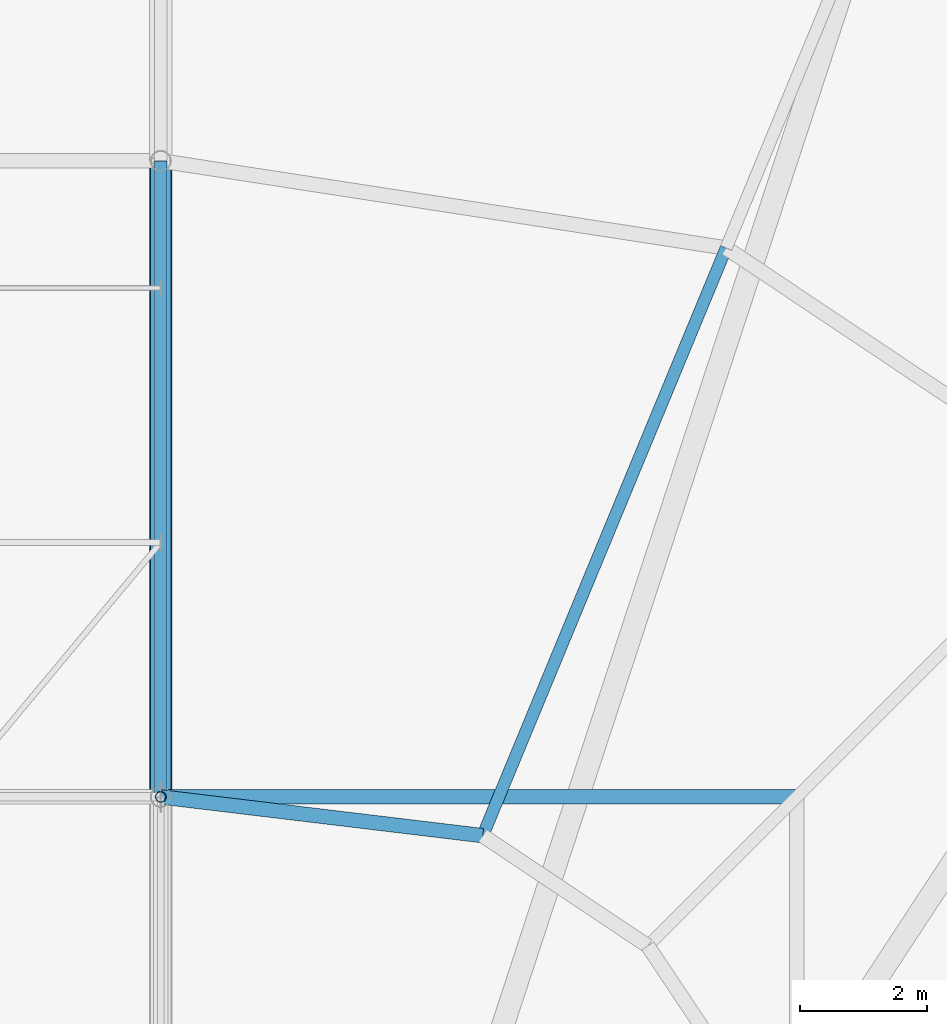
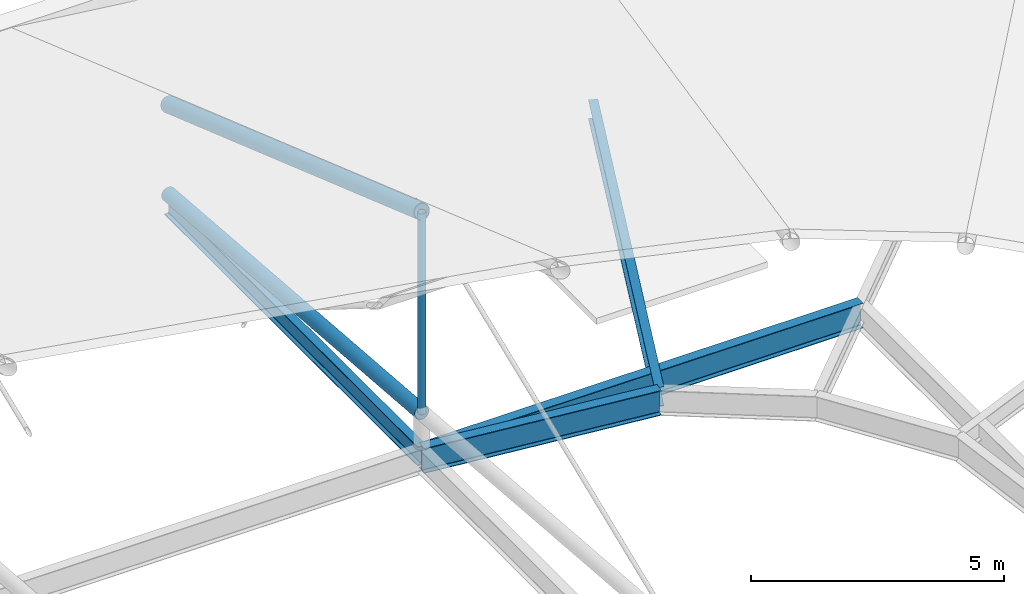
# One storey, part 72 of 93: 4 beams, 3 members.
"""IFC4 building model written with IfcOpenShell, lengths in metres."""

from ifc_helpers import new_model, si_unit, derived_unit, direction, frame, origin, origin_2d_with_axis, place, context, subcontext, project, spatial, hollow_circle, i_section, extrude, material, material_profile, profile_set, type_object, element, save


model = new_model("IFC4")

# Units and contexts
model_context = context("Model", 3, precision=1e-05, world=origin(), true_north=direction((0.0, 1.0)))
body_context = subcontext(model_context, "Body", "Model", "MODEL_VIEW")
ifc_project = project(units=[si_unit("LENGTHUNIT", "METRE"), si_unit("AREAUNIT", "SQUARE_METRE"), si_unit("VOLUMEUNIT", "CUBIC_METRE"), si_unit("PLANEANGLEUNIT", "RADIAN"), si_unit("MASSUNIT", "GRAM", prefix="KILO"), derived_unit("THERMALTRANSMITTANCEUNIT", [(si_unit("POWERUNIT", "WATT"), 1), (si_unit("LENGTHUNIT", "METRE"), -2), (si_unit("THERMODYNAMICTEMPERATUREUNIT", "KELVIN"), -1)])], contexts=[model_context])

# Site, building, storey
site_placement = place(None, origin())
site = spatial("IfcSite", under=ifc_project, at=site_placement, CompositionType="ELEMENT")
building_placement = place(site_placement, origin())
building = spatial("IfcBuilding", under=site, at=building_placement, Name="Cinnabar Yard Market Hall", CompositionType="ELEMENT")
storey_placement = place(building_placement, frame((0.0, 0.0, 23.800048828125)))
storey = spatial("IfcBuildingStorey", under=building, at=storey_placement, Name="ROOF", CompositionType="ELEMENT", Elevation=23.800048828125)

# Beams
ifc_material_1 = material(Name="Steel Grade 300 (300 MPa)", Category="steel")
ifc_material_profile_1 = material_profile(ifc_material_1, i_section(OverallWidth=0.22802734375, OverallDepth=0.60205078125, WebThickness=0.010498046875, FlangeThickness=0.014892578125, FilletRadius=0.013916015625, at=origin_2d_with_axis()), Name="610UB101")
ifc_profile_set_1 = profile_set([ifc_material_profile_1], Name="Steel Grade 300 (300 MPa)")
beam_type_1 = type_object("IfcBeamType", Name="BM-B02", PredefinedType="BEAM", material=ifc_profile_set_1)
beam_1_placement = place(storey_placement, frame((146.0, 64.0, -9.700927734375), z_axis=(1.0, 0.0, 0.0), x_axis=(0.0, 1.0, 0.0)))
element("IfcBeam", 1, at=beam_1_placement, inside=storey, type_object=beam_type_1, Name="Hall Longitudinal Tie Girder 00411", PredefinedType="BEAM", context=body_context, shape_type="SweptSolid", body=[
    extrude(i_section(OverallWidth=0.22802734375, OverallDepth=0.60205078125, WebThickness=0.010498046875, FlangeThickness=0.014892578125, FilletRadius=0.013916015625, at=origin_2d_with_axis()), origin(), (0.0, 0.0, 1.0), 10.0),
])
beam_2_placement = place(storey_placement, frame((151.0615234375, 63.39111328125, -9.700927734375), z_axis=(-0.992841898615, 0.119436026198, 0.0), x_axis=(-0.119436026198, -0.992841898615, 0.0)))
element("IfcBeam", 2, at=beam_2_placement, inside=storey, type_object=beam_type_1, Name="Inner Corner Ring NE 00493", PredefinedType="BEAM", context=body_context, shape_type="SweptSolid", body=[
    extrude(i_section(OverallWidth=0.22802734375, OverallDepth=0.60205078125, WebThickness=0.010498046875, FlangeThickness=0.014892578125, FilletRadius=0.013916015625, at=origin_2d_with_axis()), origin(), (0.0, 0.0, 1.0), 5.097900390625),
])
ifc_material_profile_2 = material_profile(ifc_material_1, i_section(OverallWidth=0.19091796875, OverallDepth=0.46044921875, WebThickness=0.010009765625, FlangeThickness=0.01611328125, FilletRadius=0.011474609375, at=origin_2d_with_axis()), Name="460UB82.1")
ifc_profile_set_2 = profile_set([ifc_material_profile_2], Name="Steel Grade 300 (300 MPa)")
beam_type_2 = type_object("IfcBeamType", Name="BM-B04", PredefinedType="BEAM", material=ifc_profile_set_2)
for number, where, z_axis, x_axis, name in (
    (3, (151.0615234375, 63.39111328125, -9.630126953125), (0.382669478028, 0.923885312463, 0.0), (-0.923885312463, 0.382669478028, 0.0), "Corner Backspan Girder NE-6 00500"),
    (4, (146.0, 64.0, -9.630126953125), (0.0, 1.0, 0.0), (-1.0, 0.0, 0.0), "North Chhajja Backspan Girder 00546"),
):
    element("IfcBeam", number, at=place(storey_placement, frame(where, z_axis=z_axis, x_axis=x_axis)), inside=storey, type_object=beam_type_2, Name=name, PredefinedType="BEAM", context=body_context, shape_type="SweptSolid", body=[
        extrude(i_section(OverallWidth=0.19091796875, OverallDepth=0.46044921875, WebThickness=0.010009765625, FlangeThickness=0.01611328125, FilletRadius=0.011474609375, at=origin_2d_with_axis()), origin(), (0.0, 0.0, 1.0), 10.0),
    ])

# Members
ifc_material_2 = material(Name="Cold-formed steel C350L0", Category="steel")
ifc_material_profile_3 = material_profile(ifc_material_2, hollow_circle(Radius=0.161865234375, WallThickness=0.009521484375, at=origin_2d_with_axis()), Name="323.9x9.5CHS")
ifc_profile_set_3 = profile_set([ifc_material_profile_3], Name="Cold-formed steel C350L0")
member_type_1 = type_object("IfcMemberType", Name="MB-BC01", PredefinedType="CHORD", material=ifc_profile_set_3)
member_1_placement = place(storey_placement, frame((146.0, 64.0, -8.60009765625), z_axis=(0.0, 0.99681489162, -0.07975005859), x_axis=(-1.0, 0.0, 0.0)))
element("IfcMember", 5, at=member_1_placement, inside=storey, type_object=member_type_1, Name="Hall Truss 146 Bottom Chord 6", PredefinedType="CHORD", context=body_context, shape_type="SweptSolid", body=[
    extrude(hollow_circle(Radius=0.161865234375, WallThickness=0.009521484375, at=origin_2d_with_axis()), origin(), (0.0, 0.0, 1.0), 10.031982421875),
])
ifc_material_profile_4 = material_profile(ifc_material_2, hollow_circle(Radius=0.177734375, WallThickness=0.0126953125, at=origin_2d_with_axis()), Name="355.6x12.7CHS")
ifc_profile_set_4 = profile_set([ifc_material_profile_4], Name="Cold-formed steel C350L0")
member_type_2 = type_object("IfcMemberType", Name="MB-TC01", PredefinedType="CHORD", material=ifc_profile_set_4)
member_2_placement = place(storey_placement, frame((146.0, 64.0, -3.76123046875), z_axis=(0.0, 0.944424919483, -0.328727199147), x_axis=(-1.0, 0.0, 0.0)))
element("IfcMember", 6, at=member_2_placement, inside=storey, type_object=member_type_2, Name="Hall Truss 146 Top Chord 6", PredefinedType="CHORD", context=body_context, shape_type="SweptSolid", body=[
    extrude(hollow_circle(Radius=0.177734375, WallThickness=0.0126953125, at=origin_2d_with_axis()), origin(), (0.0, 0.0, 1.0), 10.58837890625),
])
ifc_material_profile_5 = material_profile(ifc_material_2, hollow_circle(Radius=0.084228515625, WallThickness=0.00634765625, at=origin_2d_with_axis()), Name="168.3x6.4CHS")
ifc_profile_set_5 = profile_set([ifc_material_profile_5], Name="Cold-formed steel C350L0")
member_type_3 = type_object("IfcMemberType", Name="MB-WB01", PredefinedType="STRUT", material=ifc_profile_set_5)
member_3_placement = place(storey_placement, frame((146.0, 64.0, -8.60009765625), z_axis=(0.0, 0.0, 1.0), x_axis=(1.0, 0.0, 0.0)))
element("IfcMember", 7, at=member_3_placement, inside=storey, type_object=member_type_3, Name="Hall Truss 146 Post 5", PredefinedType="STRUT", context=body_context, shape_type="SweptSolid", body=[
    extrude(hollow_circle(Radius=0.084228515625, WallThickness=0.00634765625, at=origin_2d_with_axis()), origin(), (0.0, 0.0, 1.0), 4.8388671875),
])

save(model, "model.ifc")
